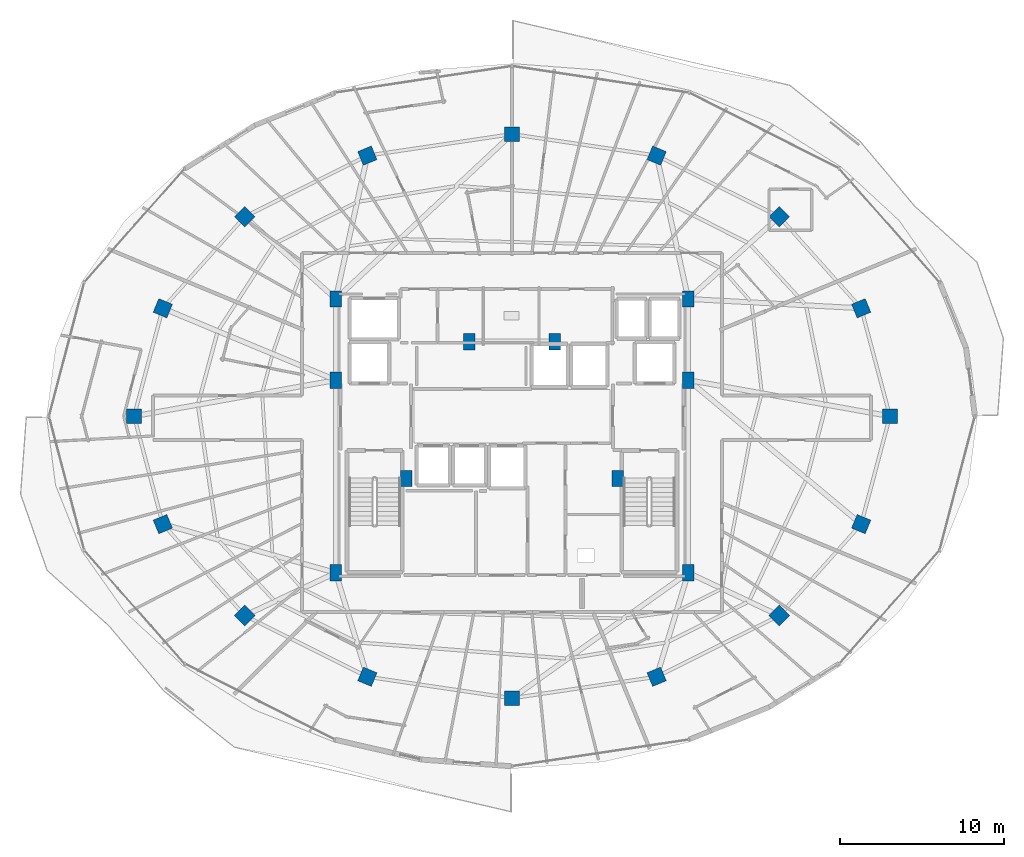
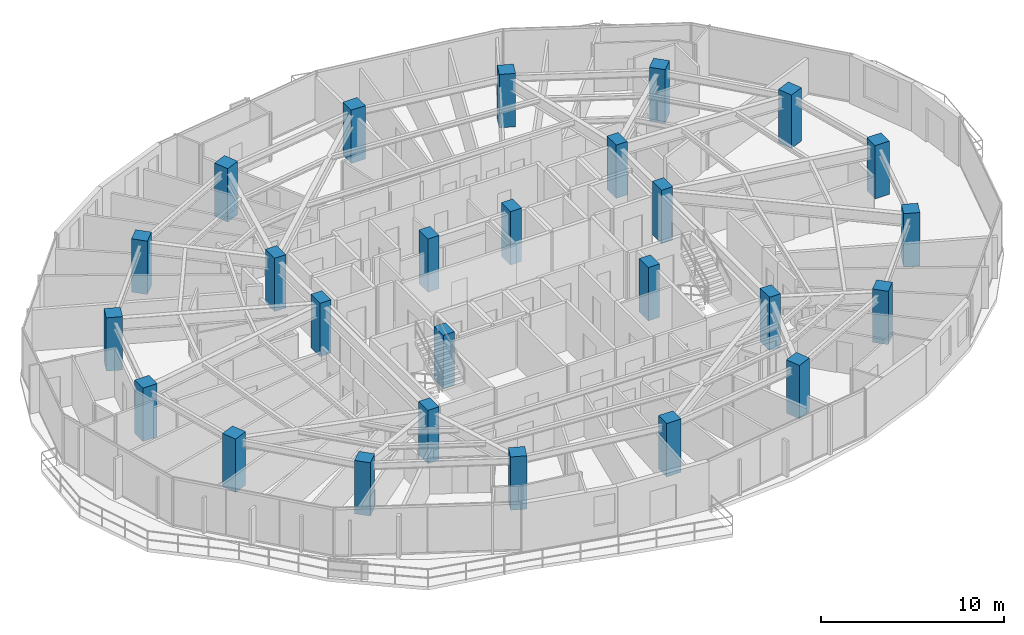
# One storey, part 1 of 33: 26 columns.
"""IFC4 building model written with IfcOpenShell, lengths in metres."""

from ifc_helpers import new_model, si_unit, direction, frame, origin, origin_2d, place, context, subcontext, project, spatial, rectangle, extrude, material, material_profile, profile_set, type_object, element, save


model = new_model("IFC4")

# Units and contexts
model_context = context("Model", 3, precision=1e-05, world=origin(), true_north=direction((0.0, 1.0)))
body_context = subcontext(model_context, "Body", "Model", "MODEL_VIEW")
ifc_project = project(units=[si_unit("LENGTHUNIT", "METRE"), si_unit("AREAUNIT", "SQUARE_METRE"), si_unit("VOLUMEUNIT", "CUBIC_METRE"), si_unit("PLANEANGLEUNIT", "RADIAN"), si_unit("MASSUNIT", "GRAM", prefix="KILO")], contexts=[model_context])

# Site, building, storey
site_placement = place(None, origin())
site = spatial("IfcSite", under=ifc_project, at=site_placement, CompositionType="ELEMENT")
building_placement = place(site_placement, origin())
building = spatial("IfcBuilding", under=site, at=building_placement, Name="Vorneva Point Tower", CompositionType="ELEMENT")
storey_placement = place(building_placement, frame((0.0, 0.0, 221.39990234375)))
storey = spatial("IfcBuildingStorey", under=building, at=storey_placement, Name="L60", CompositionType="ELEMENT", Elevation=221.39990234375)

# Columns
ifc_material = material(Name="Concrete B50 (C40/50)", Category="concrete")
ifc_material_profile_1 = material_profile(ifc_material, rectangle(XDim=0.89990234375, YDim=0.89990234375, at=origin_2d()), Name="RC-COL 900x900")
ifc_profile_set_1 = profile_set([ifc_material_profile_1], Name="Concrete B50 (C40/50)")
column_type_1 = type_object("IfcColumnType", Name="COL-RC900", PredefinedType="COLUMN", material=ifc_profile_set_1)
for number, where, z_axis, x_axis, name in (
    (1, (61.050048828125, 26.0, 0.0), (0.0, 0.0, 1.0), (1.0, 0.0, 0.0), "L60 Perimeter Column P01"),
    (2, (59.29541015625, 32.582275390625, 0.0), (0.0, 0.0, 1.0), (0.923879532511, 0.382683432365, 0.0), "L60 Perimeter Column P02"),
    (3, (54.298828125, 38.162109375, 0.0), (0.0, 0.0, 1.0), (0.707106781187, 0.707106781187, 0.0), "L60 Perimeter Column P03"),
    (4, (46.82080078125, 41.890625, 0.0), (0.0, 0.0, 1.0), (0.382683432365, 0.923879532511, 0.0), "L60 Perimeter Column P04"),
    (5, (38.0, 43.199951171875, 0.0), (0.0, 0.0, 1.0), (0.0, 1.0, 0.0), "L60 Perimeter Column P05"),
    (6, (29.17919921875, 41.890625, 0.0), (0.0, 0.0, 1.0), (-0.382683432365, 0.923879532511, 0.0), "L60 Perimeter Column P06"),
    (7, (21.701171875, 38.162109375, 0.0), (0.0, 0.0, 1.0), (-0.707106781187, 0.707106781187, 0.0), "L60 Perimeter Column P07"),
    (8, (16.70458984375, 32.582275390625, 0.0), (0.0, 0.0, 1.0), (-0.923879532511, 0.382683432365, 0.0), "L60 Perimeter Column P08"),
    (9, (14.949951171875, 26.0, 0.0), (0.0, 0.0, 1.0), (-1.0, 0.0, 0.0), "L60 Perimeter Column P09"),
    (10, (16.70458984375, 19.417724609375, 0.0), (0.0, 0.0, 1.0), (-0.923879532511, -0.382683432365, 0.0), "L60 Perimeter Column P10"),
    (11, (21.701171875, 13.837890625, 0.0), (0.0, 0.0, 1.0), (-0.707106781187, -0.707106781187, 0.0), "L60 Perimeter Column P11"),
    (12, (29.17919921875, 10.109375, 0.0), (0.0, 0.0, 1.0), (-0.382683432365, -0.923879532511, 0.0), "L60 Perimeter Column P12"),
    (13, (38.0, 8.800048828125, 0.0), (0.0, 0.0, 1.0), (0.0, -1.0, 0.0), "L60 Perimeter Column P13"),
    (14, (46.82080078125, 10.109375, 0.0), (0.0, 0.0, 1.0), (0.382683432365, -0.923879532511, 0.0), "L60 Perimeter Column P14"),
    (15, (54.298828125, 13.837890625, 0.0), (0.0, 0.0, 1.0), (0.707106781187, -0.707106781187, 0.0), "L60 Perimeter Column P15"),
    (16, (59.29541015625, 19.417724609375, 0.0), (0.0, 0.0, 1.0), (0.923879532511, -0.382683432365, 0.0), "L60 Perimeter Column P16"),
):
    element("IfcColumn", number, at=place(storey_placement, frame(where, z_axis=z_axis, x_axis=x_axis)), inside=storey, type_object=column_type_1, Name=name, PredefinedType="COLUMN", context=body_context, shape_type="SweptSolid", body=[
        extrude(rectangle(XDim=0.89990234375, YDim=0.89990234375, at=origin_2d()), origin(), (0.0, 0.0, 1.0), 3.550048828125),
    ])
ifc_material_profile_2 = material_profile(ifc_material, rectangle(XDim=0.699951171875, YDim=1.0, at=origin_2d()), Name="RC-PIL 1000x700")
ifc_profile_set_2 = profile_set([ifc_material_profile_2], Name="Concrete B50 (C40/50)")
column_type_2 = type_object("IfcColumnType", Name="PIL-RC1000x700", PredefinedType="PILASTER", material=ifc_profile_set_2)
for number, where, z_axis, x_axis, name in (
    (17, (27.25, 16.449951171875, 0.0), (0.0, 0.0, 1.0), (1.0, 0.0, 0.0), "L60 Core Pilaster CP1"),
    (18, (27.25, 28.199951171875, 0.0), (0.0, 0.0, 1.0), (1.0, 0.0, 0.0), "L60 Core Pilaster CP2"),
    (19, (27.25, 33.14990234375, 0.0), (0.0, 0.0, 1.0), (1.0, 0.0, 0.0), "L60 Core Pilaster CP3"),
    (20, (31.550048828125, 22.199951171875, 0.0), (0.0, 0.0, 1.0), (1.0, 0.0, 0.0), "L60 Core Pilaster CP4"),
    (21, (48.75, 33.14990234375, 0.0), (0.0, 0.0, 1.0), (1.0, 0.0, 0.0), "L60 Core Pilaster CP5"),
    (22, (48.75, 28.199951171875, 0.0), (0.0, 0.0, 1.0), (1.0, 0.0, 0.0), "L60 Core Pilaster CP6"),
    (23, (48.75, 16.449951171875, 0.0), (0.0, 0.0, 1.0), (1.0, 0.0, 0.0), "L60 Core Pilaster CP7"),
    (24, (44.449951171875, 22.199951171875, 0.0), (0.0, 0.0, 1.0), (1.0, 0.0, 0.0), "L60 Core Pilaster CP8"),
    (25, (35.39990234375, 30.550048828125, 0.0), (0.0, 0.0, 1.0), (1.0, 0.0, 0.0), "L60 Core Pilaster CP9"),
    (26, (40.60009765625, 30.550048828125, 0.0), (0.0, 0.0, 1.0), (1.0, 0.0, 0.0), "L60 Core Pilaster CP10"),
):
    element("IfcColumn", number, at=place(storey_placement, frame(where, z_axis=z_axis, x_axis=x_axis)), inside=storey, type_object=column_type_2, Name=name, PredefinedType="PILASTER", context=body_context, shape_type="SweptSolid", body=[
        extrude(rectangle(XDim=0.699951171875, YDim=1.0, at=origin_2d()), origin(), (0.0, 0.0, 1.0), 3.550048828125),
    ])

save(model, "model.ifc")
